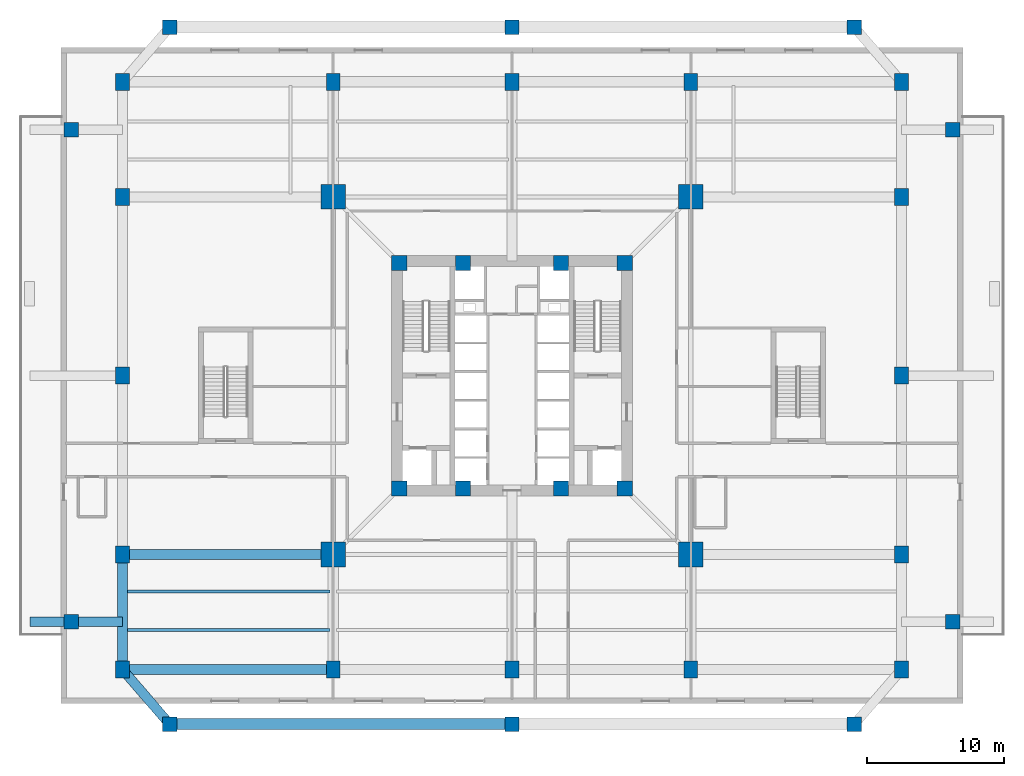
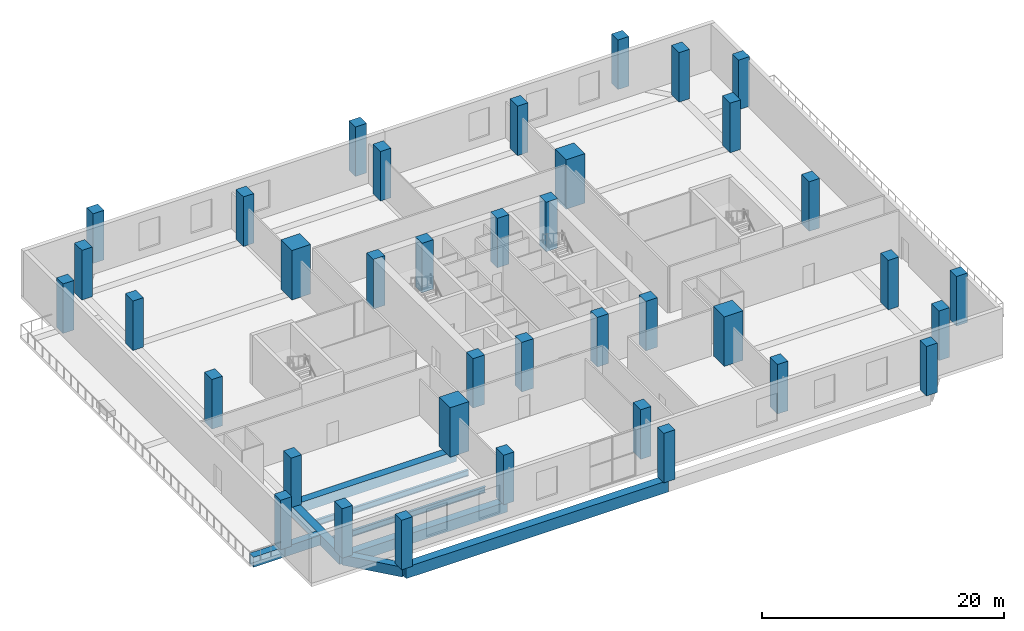
# One storey, part 1 of 14: 38 columns, 9 beams.
"""IFC4 building model written with IfcOpenShell, lengths in metres."""

from ifc_helpers import new_model, si_unit, direction, frame, origin, origin_2d, place, context, subcontext, project, spatial, rectangle, i_section, extrude, source, transform, mapped, material, material_profile, profile_set, type_object, element, save


model = new_model("IFC4")

# Units and contexts
model_context = context("Model", 3, precision=1e-05, world=origin(), true_north=direction((0.0, 1.0)))
body_context = subcontext(model_context, "Body", "Model", "MODEL_VIEW")
ifc_project = project(units=[si_unit("LENGTHUNIT", "METRE"), si_unit("AREAUNIT", "SQUARE_METRE"), si_unit("VOLUMEUNIT", "CUBIC_METRE"), si_unit("PLANEANGLEUNIT", "RADIAN"), si_unit("MASSUNIT", "GRAM", prefix="KILO"), si_unit("THERMODYNAMICTEMPERATUREUNIT", "KELVIN")], contexts=[model_context])

# Site, building, storey
site_placement = place(None, origin())
site = spatial("IfcSite", under=ifc_project, at=site_placement, CompositionType="ELEMENT")
building_placement = place(site_placement, origin())
building = spatial("IfcBuilding", under=site, at=building_placement, Name="Kosmvard Interchange Tower", CompositionType="ELEMENT")
storey_placement = place(building_placement, frame((0.0, 0.0, 16.0)))
storey = spatial("IfcBuildingStorey", under=building, at=storey_placement, Name="L03", CompositionType="ELEMENT", Elevation=16.0)

# Columns
ifc_material_1 = material(Name="Concrete C80/95", Category="concrete")
ifc_material_profile_1 = material_profile(ifc_material_1, rectangle(XDim=1.10009765625, YDim=1.10009765625, at=origin_2d()), Name="CP 1100x1100")
ifc_profile_set_1 = profile_set([ifc_material_profile_1], Name="Concrete C80/95")
column_type_1 = type_object("IfcColumnType", Name="Core Boundary Pilaster 1100x1100 C80/95", PredefinedType="PILASTER", material=ifc_profile_set_1)
shared_shape_1 = source(origin(), body_context, "Body", "SweptSolid", [
    extrude(rectangle(XDim=1.10009765625, YDim=1.10009765625, at=origin_2d()), origin(), (0.0, 0.0, 1.0), 5.0),
])
for number, where, z_axis, x_axis, name in (
    (1, (-8.25, -8.25, 0.0), (0.0, 0.0, 1.0), (1.0, 0.0, 0.0), "L03 Core Pilaster CP1"),
    (2, (8.25, -8.25, 0.0), (0.0, 0.0, 1.0), (1.0, 0.0, 0.0), "L03 Core Pilaster CP2"),
    (3, (8.25, 8.25, 0.0), (0.0, 0.0, 1.0), (1.0, 0.0, 0.0), "L03 Core Pilaster CP3"),
    (4, (-8.25, 8.25, 0.0), (0.0, 0.0, 1.0), (1.0, 0.0, 0.0), "L03 Core Pilaster CP4"),
    (5, (-3.60009765625, -8.25, 0.0), (0.0, 0.0, 1.0), (1.0, 0.0, 0.0), "L03 Core Pilaster CP5"),
    (6, (3.60009765625, -8.25, 0.0), (0.0, 0.0, 1.0), (1.0, 0.0, 0.0), "L03 Core Pilaster CP6"),
    (7, (-3.60009765625, 8.25, 0.0), (0.0, 0.0, 1.0), (1.0, 0.0, 0.0), "L03 Core Pilaster CP7"),
    (8, (3.60009765625, 8.25, 0.0), (0.0, 0.0, 1.0), (1.0, 0.0, 0.0), "L03 Core Pilaster CP8"),
):
    element("IfcColumn", number, at=place(storey_placement, frame(where, z_axis=z_axis, x_axis=x_axis)), inside=storey, type_object=column_type_1, Name=name, PredefinedType="PILASTER", context=body_context, shape_type="MappedRepresentation", body=[
        mapped(shared_shape_1, transform((0.0, 0.0, 0.0), scale=1.0)),
    ])
ifc_material_profile_2 = material_profile(ifc_material_1, rectangle(XDim=1.800048828125, YDim=1.800048828125, at=origin_2d()), Name="MC 1800x1800")
ifc_profile_set_2 = profile_set([ifc_material_profile_2], Name="Concrete C80/95")
column_type_2 = type_object("IfcColumnType", Name="Composite Mega-Column 1800x1800 C80/95", PredefinedType="COLUMN", material=ifc_profile_set_2)
shared_shape_2 = source(origin(), body_context, "Body", "SweptSolid", [
    extrude(rectangle(XDim=1.800048828125, YDim=1.800048828125, at=origin_2d()), origin(), (0.0, 0.0, 1.0), 5.0),
])
for number, where, z_axis, x_axis, name in (
    (9, (-13.0810546875, -13.0810546875, 0.0), (0.0, 0.0, 1.0), (1.0, 0.0, 0.0), "L03 Corner Mega-Column MC1"),
    (10, (13.0810546875, -13.0810546875, 0.0), (0.0, 0.0, 1.0), (1.0, 0.0, 0.0), "L03 Corner Mega-Column MC2"),
    (11, (13.0810546875, 13.0810546875, 0.0), (0.0, 0.0, 1.0), (1.0, 0.0, 0.0), "L03 Corner Mega-Column MC3"),
    (12, (-13.0810546875, 13.0810546875, 0.0), (0.0, 0.0, 1.0), (1.0, 0.0, 0.0), "L03 Corner Mega-Column MC4"),
):
    element("IfcColumn", number, at=place(storey_placement, frame(where, z_axis=z_axis, x_axis=x_axis)), inside=storey, type_object=column_type_2, Name=name, PredefinedType="COLUMN", context=body_context, shape_type="MappedRepresentation", body=[
        mapped(shared_shape_2, transform((0.0, 0.0, 0.0), scale=1.0)),
    ])
ifc_material_2 = material(Name="Concrete C60/75", Category="concrete")
ifc_material_profile_3 = material_profile(ifc_material_2, rectangle(XDim=1.0, YDim=1.25, at=origin_2d()), Name="PC 1250x1000")
ifc_profile_set_3 = profile_set([ifc_material_profile_3], Name="Concrete C60/75")
column_type_3 = type_object("IfcColumnType", Name="Podium Concourse Column 1250x1000 C60/75", PredefinedType="COLUMN", material=ifc_profile_set_3)
shared_shape_3 = source(origin(), body_context, "Body", "SweptSolid", [
    extrude(rectangle(XDim=1.0, YDim=1.25, at=origin_2d()), origin(), (0.0, 0.0, 1.0), 5.0),
])
for number, where, z_axis, x_axis, name in (
    (13, (-28.5, -21.5, 0.0), (0.0, 0.0, 1.0), (1.0, 0.0, 0.0), "L03 Podium Column PC-S1"),
    (14, (-13.0810546875, -21.5, 0.0), (0.0, 0.0, 1.0), (1.0, 0.0, 0.0), "L03 Podium Column PC-S2"),
    (15, (0.0, -21.5, 0.0), (0.0, 0.0, 1.0), (1.0, 0.0, 0.0), "L03 Podium Column PC-S3"),
    (16, (13.0810546875, -21.5, 0.0), (0.0, 0.0, 1.0), (1.0, 0.0, 0.0), "L03 Podium Column PC-S4"),
    (17, (28.5, -21.5, 0.0), (0.0, 0.0, 1.0), (1.0, 0.0, 0.0), "L03 Podium Column PC-S5"),
    (18, (-28.5, 21.5, 0.0), (0.0, 0.0, 1.0), (1.0, 0.0, 0.0), "L03 Podium Column PC-N1"),
    (19, (-13.0810546875, 21.5, 0.0), (0.0, 0.0, 1.0), (1.0, 0.0, 0.0), "L03 Podium Column PC-N2"),
    (20, (0.0, 21.5, 0.0), (0.0, 0.0, 1.0), (1.0, 0.0, 0.0), "L03 Podium Column PC-N3"),
    (21, (13.0810546875, 21.5, 0.0), (0.0, 0.0, 1.0), (1.0, 0.0, 0.0), "L03 Podium Column PC-N4"),
    (22, (28.5, 21.5, 0.0), (0.0, 0.0, 1.0), (1.0, 0.0, 0.0), "L03 Podium Column PC-N5"),
    (23, (-28.5, -13.0810546875, 0.0), (0.0, 0.0, 1.0), (1.0, 0.0, 0.0), "L03 Podium Column PC-W1"),
    (24, (-28.5, 0.0, 0.0), (0.0, 0.0, 1.0), (1.0, 0.0, 0.0), "L03 Podium Column PC-W2"),
    (25, (-28.5, 13.0810546875, 0.0), (0.0, 0.0, 1.0), (1.0, 0.0, 0.0), "L03 Podium Column PC-W3"),
    (26, (28.5, -13.0810546875, 0.0), (0.0, 0.0, 1.0), (1.0, 0.0, 0.0), "L03 Podium Column PC-E1"),
    (27, (28.5, 0.0, 0.0), (0.0, 0.0, 1.0), (1.0, 0.0, 0.0), "L03 Podium Column PC-E2"),
    (28, (28.5, 13.0810546875, 0.0), (0.0, 0.0, 1.0), (1.0, 0.0, 0.0), "L03 Podium Column PC-E3"),
):
    element("IfcColumn", number, at=place(storey_placement, frame(where, z_axis=z_axis, x_axis=x_axis)), inside=storey, type_object=column_type_3, Name=name, PredefinedType="COLUMN", context=body_context, shape_type="MappedRepresentation", body=[
        mapped(shared_shape_3, transform((0.0, 0.0, 0.0), scale=1.0)),
    ])
ifc_material_profile_4 = material_profile(ifc_material_2, rectangle(XDim=1.050048828125, YDim=1.050048828125, at=origin_2d()), Name="PC 1050x1050")
ifc_profile_set_4 = profile_set([ifc_material_profile_4], Name="Concrete C60/75")
column_type_4 = type_object("IfcColumnType", Name="Podium Perimeter Column 1050x1050 C60/75", PredefinedType="COLUMN", material=ifc_profile_set_4)
shared_shape_4 = source(origin(), body_context, "Body", "SweptSolid", [
    extrude(rectangle(XDim=1.050048828125, YDim=1.050048828125, at=origin_2d()), origin(), (0.0, 0.0, 1.0), 5.0),
])
for number, where, z_axis, x_axis, name in (
    (29, (-25.050048828125, -25.5, 0.0), (0.0, 0.0, 1.0), (1.0, 0.0, 0.0), "L03 Podium Column PC-TS1"),
    (30, (0.0, -25.5, 0.0), (0.0, 0.0, 1.0), (1.0, 0.0, 0.0), "L03 Podium Column PC-TS2"),
    (31, (25.050048828125, -25.5, 0.0), (0.0, 0.0, 1.0), (1.0, 0.0, 0.0), "L03 Podium Column PC-TS3"),
    (32, (-25.050048828125, 25.5, 0.0), (0.0, 0.0, 1.0), (1.0, 0.0, 0.0), "L03 Podium Column PC-TN1"),
    (33, (0.0, 25.5, 0.0), (0.0, 0.0, 1.0), (1.0, 0.0, 0.0), "L03 Podium Column PC-TN2"),
    (34, (25.050048828125, 25.5, 0.0), (0.0, 0.0, 1.0), (1.0, 0.0, 0.0), "L03 Podium Column PC-TN3"),
    (35, (-32.25, -18.0, 0.0), (0.0, 0.0, 1.0), (1.0, 0.0, 0.0), "L03 Podium Column PC-TW3"),
    (36, (-32.25, 18.0, 0.0), (0.0, 0.0, 1.0), (1.0, 0.0, 0.0), "L03 Podium Column PC-TW4"),
    (37, (32.25, -18.0, 0.0), (0.0, 0.0, 1.0), (1.0, 0.0, 0.0), "L03 Podium Column PC-TE3"),
    (38, (32.25, 18.0, 0.0), (0.0, 0.0, 1.0), (1.0, 0.0, 0.0), "L03 Podium Column PC-TE4"),
):
    element("IfcColumn", number, at=place(storey_placement, frame(where, z_axis=z_axis, x_axis=x_axis)), inside=storey, type_object=column_type_4, Name=name, PredefinedType="COLUMN", context=body_context, shape_type="MappedRepresentation", body=[
        mapped(shared_shape_4, transform((0.0, 0.0, 0.0), scale=1.0)),
    ])

# Beams
ifc_material_3 = material(Name="Steel S355", Category="steel")
ifc_material_profile_5 = material_profile(ifc_material_3, i_section(OverallWidth=0.219970703125, OverallDepth=0.60009765625, WebThickness=0.011962890625, FlangeThickness=0.01904296875, FilletRadius=0.02392578125, at=origin_2d()), Name="IPE 600")
ifc_profile_set_5 = profile_set([ifc_material_profile_5], Name="Steel S355")
beam_type_1 = type_object("IfcBeamType", Name="Long-Span Floor Joist IPE 600 S355", PredefinedType="JOIST", material=ifc_profile_set_5)
shared_shape_5 = source(origin(), body_context, "Body", "SweptSolid", [
    extrude(i_section(OverallWidth=0.219970703125, OverallDepth=0.60009765625, WebThickness=0.011962890625, FlangeThickness=0.01904296875, FilletRadius=0.02392578125, at=origin_2d()), origin(), (0.0, 0.0, 1.0), 14.949951171875),
])
for number, where, z_axis, x_axis, name in (
    (39, (-28.25, -18.60009765625, -0.639892578125), (1.0, 0.0, 0.0), (0.0, 1.0, 0.0), "BM-L03-PJ01"),
    (40, (-28.25, -15.800048828125, -0.639892578125), (1.0, 0.0, 0.0), (0.0, 1.0, 0.0), "BM-L03-PJ05"),
):
    element("IfcBeam", number, at=place(storey_placement, frame(where, z_axis=z_axis, x_axis=x_axis)), inside=storey, type_object=beam_type_1, Name=name, PredefinedType="JOIST", context=body_context, shape_type="MappedRepresentation", body=[
        mapped(shared_shape_5, transform((0.0, 0.0, 0.0), scale=1.0)),
    ])
ifc_material_profile_6 = material_profile(ifc_material_2, rectangle(XDim=0.75, YDim=1.050048828125, at=origin_2d()), Name="RCG 750x1050")
ifc_profile_set_6 = profile_set([ifc_material_profile_6], Name="Concrete C60/75")
beam_type_2 = type_object("IfcBeamType", Name="Concourse Mid-Span RC Girder 750x1050 C60/75", PredefinedType="BEAM", material=ifc_profile_set_6)
shared_shape_6 = source(origin(), body_context, "Body", "SweptSolid", [
    extrude(rectangle(XDim=0.75, YDim=1.050048828125, at=origin_2d()), origin(), (0.0, 0.0, 1.0), 15.4189453125),
])
for number, where, z_axis, x_axis, name in (
    (41, (-28.5, -21.5, -0.52490234375), (1.0, 0.0, 0.0), (0.0, 1.0, 0.0), "BM-L03-PG-S1"),
    (42, (-28.5, -13.0810546875, -0.52490234375), (1.0, 0.0, 0.0), (0.0, 1.0, 0.0), "BM-L03-PG-CW1"),
):
    element("IfcBeam", number, at=place(storey_placement, frame(where, z_axis=z_axis, x_axis=x_axis)), inside=storey, type_object=beam_type_2, Name=name, PredefinedType="BEAM", context=body_context, shape_type="MappedRepresentation", body=[
        mapped(shared_shape_6, transform((0.0, 0.0, 0.0), scale=1.0)),
    ])
shared_shape_7 = source(origin(), body_context, "Body", "SweptSolid", [
    extrude(rectangle(XDim=0.75, YDim=1.050048828125, at=origin_2d()), origin(), (0.0, 0.0, 1.0), 8.4189453125),
])
beam_1_placement = place(storey_placement, frame((-28.5, -21.5, -0.52490234375), z_axis=(0.0, 1.0, 0.0), x_axis=(-1.0, 0.0, 0.0)))
element("IfcBeam", 43, at=beam_1_placement, inside=storey, type_object=beam_type_2, Name="BM-L03-PG-W1", PredefinedType="BEAM", context=body_context, shape_type="MappedRepresentation", body=[
    mapped(shared_shape_7, transform((0.0, 0.0, 0.0), scale=1.0)),
])
ifc_material_profile_7 = material_profile(ifc_material_2, rectangle(XDim=0.800048828125, YDim=1.14990234375, at=origin_2d()), Name="RCG 800x1150")
ifc_profile_set_7 = profile_set([ifc_material_profile_7], Name="Concrete C60/75")
beam_type_3 = type_object("IfcBeamType", Name="Concourse Long-Span RC Girder 800x1150 C60/75", PredefinedType="BEAM", material=ifc_profile_set_7)
shared_shape_8 = source(origin(), body_context, "Body", "SweptSolid", [
    extrude(rectangle(XDim=0.800048828125, YDim=1.14990234375, at=origin_2d()), origin(), (0.0, 0.0, 1.0), 25.050048828125),
])
beam_2_placement = place(storey_placement, frame((-25.050048828125, -25.5, -0.574951171875), z_axis=(1.0, 0.0, 0.0), x_axis=(0.0, 1.0, 0.0)))
element("IfcBeam", 44, at=beam_2_placement, inside=storey, type_object=beam_type_3, Name="BM-L03-PG-TS1", PredefinedType="BEAM", context=body_context, shape_type="MappedRepresentation", body=[
    mapped(shared_shape_8, transform((0.0, 0.0, 0.0), scale=1.0)),
])
ifc_material_profile_8 = material_profile(ifc_material_2, rectangle(XDim=0.699951171875, YDim=1.0, at=origin_2d()), Name="RCG 700x1000")
ifc_profile_set_8 = profile_set([ifc_material_profile_8], Name="Concrete C60/75")
beam_type_4 = type_object("IfcBeamType", Name="Concourse Primary RC Girder 700x1000 C60/75", PredefinedType="BEAM", material=ifc_profile_set_8)
shared_shape_9 = source(origin(), body_context, "Body", "SweptSolid", [
    extrude(rectangle(XDim=0.699951171875, YDim=1.0, at=origin_2d()), origin(), (0.0, 0.0, 1.0), 5.2822265625),
])
beam_3_placement = place(storey_placement, frame((-25.050048828125, -25.5, -0.5), z_axis=(-0.653121547432, 0.757253091298, 0.0), x_axis=(-0.757253091298, -0.653121547432, 0.0)))
element("IfcBeam", 45, at=beam_3_placement, inside=storey, type_object=beam_type_4, Name="BM-L03-PG-TSL", PredefinedType="BEAM", context=body_context, shape_type="MappedRepresentation", body=[
    mapped(shared_shape_9, transform((0.0, 0.0, 0.0), scale=1.0)),
])
shared_shape_10 = source(origin(), body_context, "Body", "SweptSolid", [
    extrude(rectangle(XDim=0.699951171875, YDim=1.0, at=origin_2d()), origin(), (0.0, 0.0, 1.0), 3.75),
])
beam_4_placement = place(storey_placement, frame((-28.5, -18.0, -0.5), z_axis=(-1.0, 0.0, 0.0), x_axis=(0.0, -1.0, 0.0)))
element("IfcBeam", 46, at=beam_4_placement, inside=storey, type_object=beam_type_4, Name="BM-L03-PG-TCW11", PredefinedType="BEAM", context=body_context, shape_type="MappedRepresentation", body=[
    mapped(shared_shape_10, transform((0.0, 0.0, 0.0), scale=1.0)),
])
shared_shape_11 = source(origin(), body_context, "Body", "SweptSolid", [
    extrude(rectangle(XDim=0.699951171875, YDim=1.0, at=origin_2d()), origin(), (0.0, 0.0, 1.0), 3.0),
])
beam_5_placement = place(storey_placement, frame((-32.25, -18.0, -0.5), z_axis=(-1.0, 0.0, 0.0), x_axis=(0.0, -1.0, 0.0)))
element("IfcBeam", 47, at=beam_5_placement, inside=storey, type_object=beam_type_4, Name="BM-L03-PG-TCW12", PredefinedType="BEAM", context=body_context, shape_type="MappedRepresentation", body=[
    mapped(shared_shape_11, transform((0.0, 0.0, 0.0), scale=1.0)),
])

save(model, "model.ifc")
